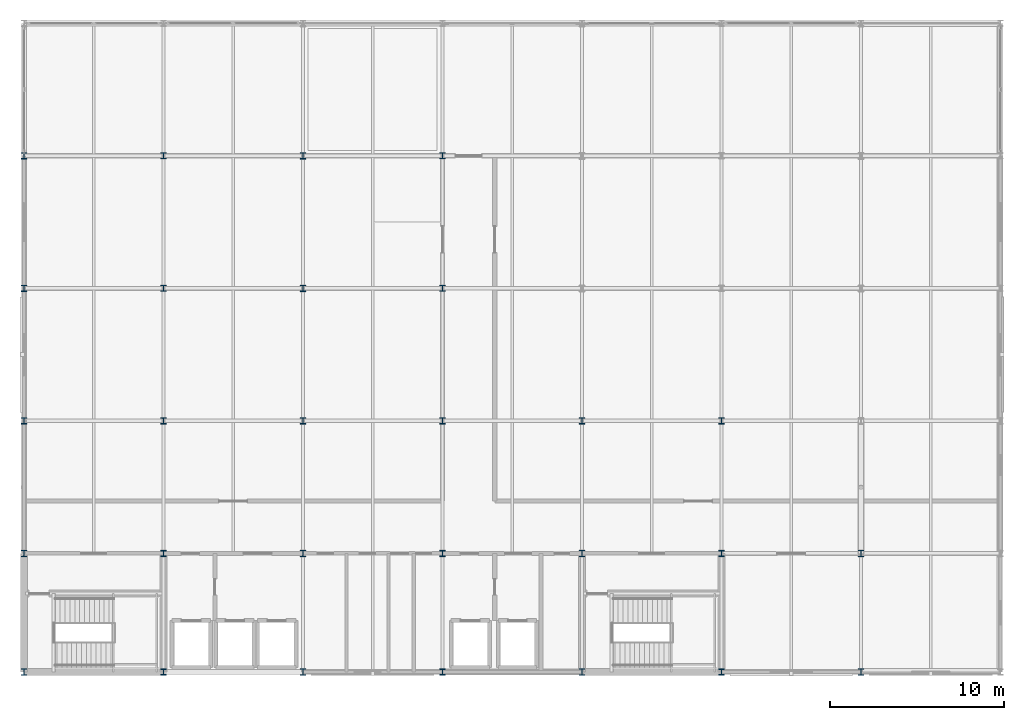
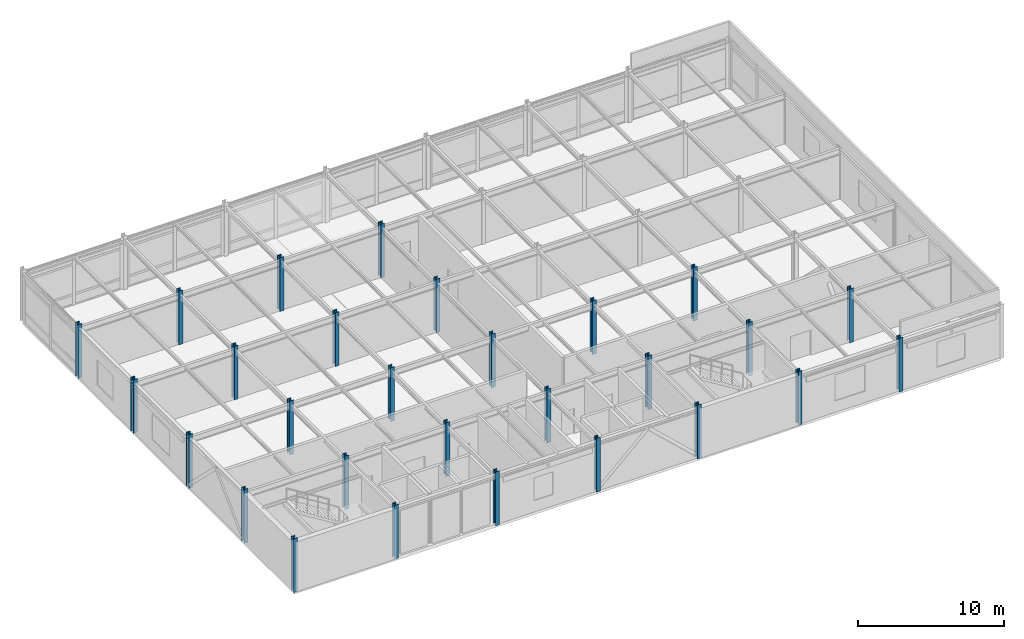
# One storey, part 1 of 16: 28 columns.
"""IFC4 building model written with IfcOpenShell, lengths in metres."""

from ifc_helpers import new_model, si_unit, direction, frame, origin, origin_2d, place, context, subcontext, project, spatial, i_section, extrude, material, material_profile, profile_set, type_object, element, save


model = new_model("IFC4")

# Units and contexts
model_context = context("Model", 3, precision=1e-05, world=origin(), true_north=direction((0.0, 1.0)))
body_context = subcontext(model_context, "Body", "Model", "MODEL_VIEW")
ifc_project = project(units=[si_unit("LENGTHUNIT", "METRE"), si_unit("AREAUNIT", "SQUARE_METRE"), si_unit("VOLUMEUNIT", "CUBIC_METRE"), si_unit("PLANEANGLEUNIT", "RADIAN"), si_unit("MASSUNIT", "GRAM", prefix="KILO")], contexts=[model_context])

# Site, building, storey
site_placement = place(None, origin())
site = spatial("IfcSite", under=ifc_project, at=site_placement, CompositionType="ELEMENT")
building_placement = place(site_placement, origin())
building = spatial("IfcBuilding", under=site, at=building_placement, Name="Shalkamar Park Central Library", CompositionType="ELEMENT")
storey_placement = place(building_placement, frame((0.0, 0.0, 51.60009765625)))
storey = spatial("IfcBuildingStorey", under=building, at=storey_placement, Name="L13", CompositionType="ELEMENT", Elevation=51.60009765625)

# Columns
ifc_material = material(Name="Steel S355", Category="steel")
ifc_material_profile_1 = material_profile(ifc_material, i_section(OverallWidth=0.30908203125, OverallDepth=0.35888671875, WebThickness=0.02099609375, FlangeThickness=0.0400390625, FilletRadius=0.027099609375, at=origin_2d()), Name="HEM 320")
ifc_profile_set_1 = profile_set([ifc_material_profile_1], Name="Steel S355")
column_type_1 = type_object("IfcColumnType", Name="Column Steel HEM320", PredefinedType="COLUMN", material=ifc_profile_set_1)
for number, where, z_axis, x_axis, name in (
    (1, (173.0, 248.39990234375, 0.0), (0.0, 0.0, 1.0), (1.0, 0.0, 0.0), "Column 08/B (L13)"),
    (2, (173.0, 255.199951171875, 0.0), (0.0, 0.0, 1.0), (1.0, 0.0, 0.0), "Column 08/C (L13)"),
    (3, (173.0, 262.800048828125, 0.0), (0.0, 0.0, 1.0), (1.0, 0.0, 0.0), "Column 08/D (L13)"),
    (4, (173.0, 270.39990234375, 0.0), (0.0, 0.0, 1.0), (1.0, 0.0, 0.0), "Column 08/E (L13)"),
    (5, (173.0, 278.0, 0.0), (0.0, 0.0, 1.0), (1.0, 0.0, 0.0), "Column 08/F (L13)"),
    (6, (189.0, 248.39990234375, 0.0), (0.0, 0.0, 1.0), (1.0, 0.0, 0.0), "Column 10/B (L13)"),
    (7, (189.0, 255.199951171875, 0.0), (0.0, 0.0, 1.0), (1.0, 0.0, 0.0), "Column 10/C (L13)"),
    (8, (189.0, 262.800048828125, 0.0), (0.0, 0.0, 1.0), (1.0, 0.0, 0.0), "Column 10/D (L13)"),
    (9, (189.0, 270.39990234375, 0.0), (0.0, 0.0, 1.0), (1.0, 0.0, 0.0), "Column 10/E (L13)"),
    (10, (189.0, 278.0, 0.0), (0.0, 0.0, 1.0), (1.0, 0.0, 0.0), "Column 10/F (L13)"),
    (11, (205.0, 248.39990234375, 0.0), (0.0, 0.0, 1.0), (1.0, 0.0, 0.0), "Column 12/B (L13)"),
    (12, (205.0, 255.199951171875, 0.0), (0.0, 0.0, 1.0), (1.0, 0.0, 0.0), "Column 12/C (L13)"),
    (13, (205.0, 262.800048828125, 0.0), (0.0, 0.0, 1.0), (1.0, 0.0, 0.0), "Column 12/D (L13)"),
):
    element("IfcColumn", number, at=place(storey_placement, frame(where, z_axis=z_axis, x_axis=x_axis)), inside=storey, type_object=column_type_1, Name=name, PredefinedType="COLUMN", context=body_context, shape_type="SweptSolid", body=[
        extrude(i_section(OverallWidth=0.30908203125, OverallDepth=0.35888671875, WebThickness=0.02099609375, FlangeThickness=0.0400390625, FilletRadius=0.027099609375, at=origin_2d()), origin(), (0.0, 0.0, 1.0), 4.5),
    ])
ifc_material_profile_2 = material_profile(ifc_material, i_section(OverallWidth=0.30908203125, OverallDepth=0.376953125, WebThickness=0.02099609375, FlangeThickness=0.0400390625, FilletRadius=0.027099609375, at=origin_2d()), Name="HEM 340")
ifc_profile_set_2 = profile_set([ifc_material_profile_2], Name="Steel S355")
column_type_2 = type_object("IfcColumnType", Name="Column Steel HEM340", PredefinedType="COLUMN", material=ifc_profile_set_2)
for number, where, z_axis, x_axis, name in (
    (14, (165.0, 248.39990234375, 0.0), (0.0, 0.0, 1.0), (1.0, 0.0, 0.0), "Column 07/B (L13)"),
    (15, (165.0, 255.199951171875, 0.0), (0.0, 0.0, 1.0), (1.0, 0.0, 0.0), "Column 07/C (L13)"),
    (16, (165.0, 262.800048828125, 0.0), (0.0, 0.0, 1.0), (1.0, 0.0, 0.0), "Column 07/D (L13)"),
    (17, (165.0, 270.39990234375, 0.0), (0.0, 0.0, 1.0), (1.0, 0.0, 0.0), "Column 07/E (L13)"),
    (18, (165.0, 278.0, 0.0), (0.0, 0.0, 1.0), (1.0, 0.0, 0.0), "Column 07/F (L13)"),
    (19, (181.0, 248.39990234375, 0.0), (0.0, 0.0, 1.0), (1.0, 0.0, 0.0), "Column 09/B (L13)"),
    (20, (181.0, 255.199951171875, 0.0), (0.0, 0.0, 1.0), (1.0, 0.0, 0.0), "Column 09/C (L13)"),
    (21, (181.0, 262.800048828125, 0.0), (0.0, 0.0, 1.0), (1.0, 0.0, 0.0), "Column 09/D (L13)"),
    (22, (181.0, 270.39990234375, 0.0), (0.0, 0.0, 1.0), (1.0, 0.0, 0.0), "Column 09/E (L13)"),
    (23, (181.0, 278.0, 0.0), (0.0, 0.0, 1.0), (1.0, 0.0, 0.0), "Column 09/F (L13)"),
    (24, (197.0, 248.39990234375, 0.0), (0.0, 0.0, 1.0), (1.0, 0.0, 0.0), "Column 11/B (L13)"),
    (25, (197.0, 255.199951171875, 0.0), (0.0, 0.0, 1.0), (1.0, 0.0, 0.0), "Column 11/C (L13)"),
    (26, (197.0, 262.800048828125, 0.0), (0.0, 0.0, 1.0), (1.0, 0.0, 0.0), "Column 11/D (L13)"),
    (27, (213.0, 248.39990234375, 0.0), (0.0, 0.0, 1.0), (1.0, 0.0, 0.0), "Column 13/B (L13)"),
    (28, (213.0, 255.199951171875, 0.0), (0.0, 0.0, 1.0), (1.0, 0.0, 0.0), "Column 13/C (L13)"),
):
    element("IfcColumn", number, at=place(storey_placement, frame(where, z_axis=z_axis, x_axis=x_axis)), inside=storey, type_object=column_type_2, Name=name, PredefinedType="COLUMN", context=body_context, shape_type="SweptSolid", body=[
        extrude(i_section(OverallWidth=0.30908203125, OverallDepth=0.376953125, WebThickness=0.02099609375, FlangeThickness=0.0400390625, FilletRadius=0.027099609375, at=origin_2d()), origin(), (0.0, 0.0, 1.0), 4.5),
    ])

save(model, "model.ifc")
